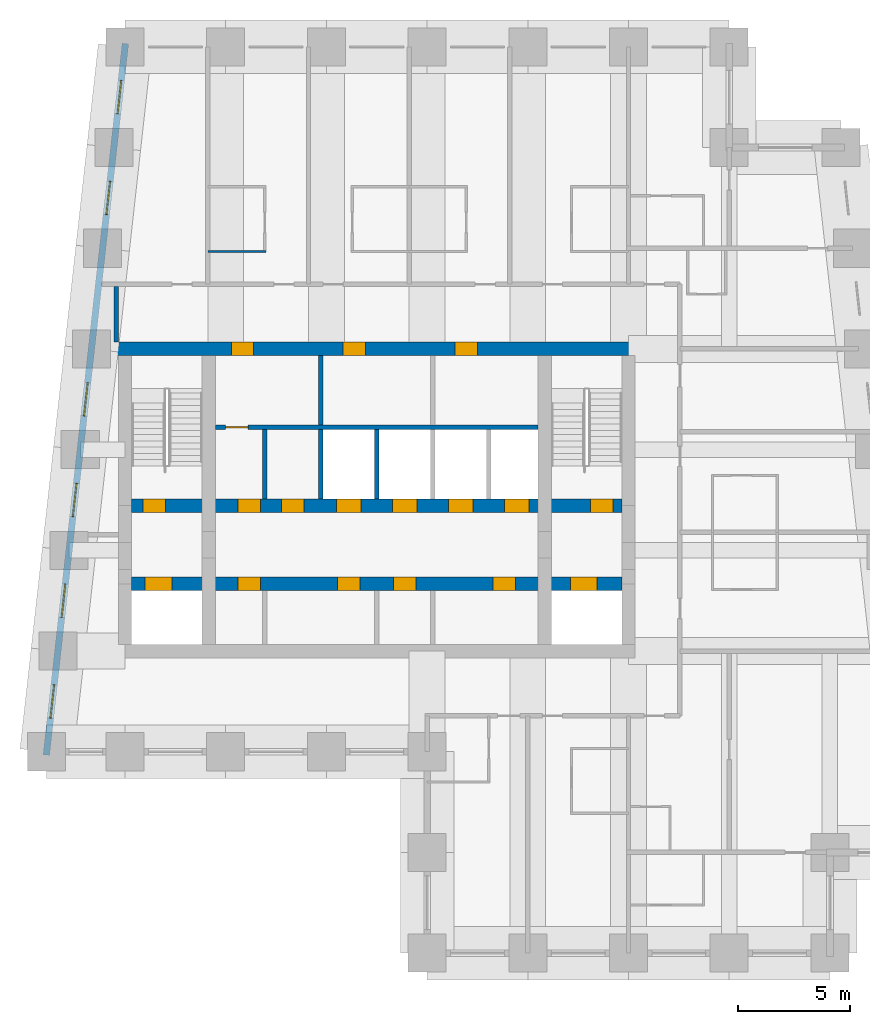
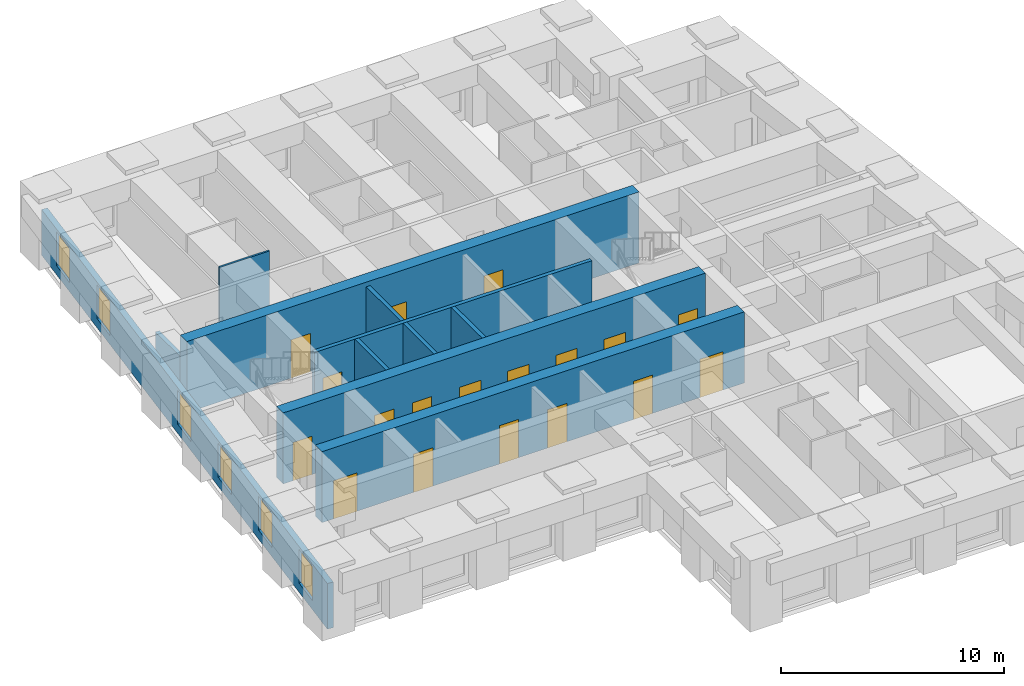
# One storey, part 3 of 7: 18 doors, 11 walls, 6 windows, 24 openings.
"""IFC4 building model written with IfcOpenShell, lengths in metres."""

from ifc_helpers import new_model, si_unit, direction, frame, frame_2d, origin, place, context, subcontext, project, spatial, rectangle, extrude, material, layer, layer_set, type_object, element, fill, save


model = new_model("IFC4")

# Units and contexts
model_context = context("Model", 3, precision=1e-05, world=origin(), true_north=direction((0.0, 1.0)))
body_context = subcontext(model_context, "Body", "Model", "MODEL_VIEW")
ifc_project = project(units=[si_unit("LENGTHUNIT", "METRE"), si_unit("AREAUNIT", "SQUARE_METRE"), si_unit("VOLUMEUNIT", "CUBIC_METRE"), si_unit("PLANEANGLEUNIT", "RADIAN"), si_unit("MASSUNIT", "GRAM", prefix="KILO")], contexts=[model_context])

# Site, building, storey
site_placement = place(None, origin())
site = spatial("IfcSite", under=ifc_project, at=site_placement, CompositionType="ELEMENT")
building_placement = place(site_placement, origin())
building = spatial("IfcBuilding", under=site, at=building_placement, Name="Kilele Tower Hotel", CompositionType="ELEMENT")
storey_placement = place(building_placement, frame((0.0, 0.0, 221.300048828125)))
storey = spatial("IfcBuildingStorey", under=building, at=storey_placement, Name="L57", CompositionType="ELEMENT", Elevation=221.300048828125)

# Wall
ifc_material_1 = material(Name="Moisture-resistant board")
ifc_layer_1 = layer(ifc_material_1, 0.10009765625)
ifc_layer_set_1 = layer_set([ifc_layer_1], Name="Moisture-resistant board")
wall_type_1 = type_object("IfcWallType", Name="Bathroom partition 100", PredefinedType="PLUMBINGWALL", material=ifc_layer_set_1)
wall_1_placement = place(storey_placement, frame((17.199951171875, 31.35009765625, 0.0), z_axis=(0.0, 0.0, 1.0), x_axis=(1.0, 0.0, 0.0)))
element("IfcWall", 1, at=wall_1_placement, inside=storey, type_object=wall_type_1, Name="Bathroom partition 100 L57", PredefinedType="PLUMBINGWALL", context=body_context, shape_type="SweptSolid", body=[
    extrude(rectangle(XDim=2.60009765625, YDim=0.10009765625, at=frame_2d((1.300048828125, 0.0))), origin(), (0.0, 0.0, 1.0), 3.64990234375),
])

# Wall, openings, doors
ifc_material_2 = material(Name="Concrete C60/75", Category="concrete")
ifc_layer_2 = layer(ifc_material_2, 0.60009765625)
ifc_layer_set_2 = layer_set([ifc_layer_2], Name="Concrete C60/75")
wall_type_2 = type_object("IfcWallType", Name="Core wall 600 C60/75", PredefinedType="SHEAR", material=ifc_layer_set_2)
wall_2_placement = place(storey_placement, frame((36.300048828125, 27.0, 0.0), z_axis=(0.0, 0.0, 1.0), x_axis=(-1.0, 0.0, 0.0)))
wall_2 = element("IfcWall", 2, at=wall_2_placement, inside=storey, type_object=wall_type_2, Name="Core wall N L57", PredefinedType="SHEAR", context=body_context, shape_type="SweptSolid", body=[
    extrude(rectangle(XDim=23.449951171875, YDim=0.60009765625, at=frame_2d((11.72509765625, 0.0))), origin(), (0.0, 0.0, 1.0), 3.89990234375),
])
opening_1_placement = place(wall_2_placement, frame((17.050048828125, 0.0, 0.0)))
opening_1 = element("IfcOpeningElement", 3, at=opening_1_placement, cuts=wall_2, Name="Opening D12", PredefinedType="OPENING", context=body_context, shape_type="SweptSolid", body=[
    extrude(rectangle(XDim=1.0, YDim=2.10009765625, at=frame_2d((0.5, 1.050048828125))), frame((0.0, 0.31005859375, 0.0), z_axis=(0.0, -1.0, 0.0), x_axis=(1.0, 0.0, 0.0)), (0.0, 0.0, 1.0), 0.6201171875),
])
opening_2_placement = place(wall_2_placement, frame((12.050048828125, 0.0, 0.0)))
opening_2 = element("IfcOpeningElement", 4, at=opening_2_placement, cuts=wall_2, Name="Opening D6", PredefinedType="OPENING", context=body_context, shape_type="SweptSolid", body=[
    extrude(rectangle(XDim=1.0, YDim=2.10009765625, at=frame_2d((0.5, 1.050048828125))), frame((0.0, 0.31005859375, 0.0), z_axis=(0.0, -1.0, 0.0), x_axis=(1.0, 0.0, 0.0)), (0.0, 0.0, 1.0), 0.6201171875),
])
opening_3_placement = place(wall_2_placement, frame((7.050048828125, 0.0, 0.0)))
opening_3 = element("IfcOpeningElement", 5, at=opening_3_placement, cuts=wall_2, Name="Opening D6", PredefinedType="OPENING", context=body_context, shape_type="SweptSolid", body=[
    extrude(rectangle(XDim=1.0, YDim=2.10009765625, at=frame_2d((0.5, 1.050048828125))), frame((0.0, 0.31005859375, 0.0), z_axis=(0.0, -1.0, 0.0), x_axis=(1.0, 0.0, 0.0)), (0.0, 0.0, 1.0), 0.6201171875),
])
ifc_material_3 = material(Name="Timber door leaf in hardwood frame", Category="wood")
door_type_1 = type_object("IfcDoorType", Name="Core lobby door 1000", OperationType="SINGLE_SWING_LEFT", PredefinedType="DOOR", material=ifc_material_3)
door_1_placement = place(opening_1_placement, origin())
door_1 = element("IfcDoor", 6, at=door_1_placement, inside=storey, type_object=door_type_1, Name="North lobby door L57", OperationType="SINGLE_SWING_RIGHT", OverallHeight=2.10009765625, OverallWidth=1.0, PredefinedType="DOOR", context=body_context, shape_type="SweptSolid", body=[
    extrude(rectangle(XDim=1.0, YDim=2.10009765625, at=frame_2d((0.5, 1.050048828125))), frame((0.0, 0.2998046875, 0.0), z_axis=(0.0, -1.0, 0.0), x_axis=(1.0, 0.0, 0.0)), (0.0, 0.0, 1.0), 0.599609375),
])
fill(opening_1, door_1)
ifc_material_4 = material(Name="Timber door leaf in hardwood frame", Category="wood")
door_type_2 = type_object("IfcDoorType", Name="Riser door 1000", OperationType="SINGLE_SWING_LEFT", PredefinedType="DOOR", material=ifc_material_4)
door_2_placement = place(opening_2_placement, origin())
door_2 = element("IfcDoor", 7, at=door_2_placement, inside=storey, type_object=door_type_2, Name="Ice and vending room door L57", OperationType="SINGLE_SWING_RIGHT", OverallHeight=2.10009765625, OverallWidth=1.0, PredefinedType="DOOR", context=body_context, shape_type="SweptSolid", body=[
    extrude(rectangle(XDim=1.0, YDim=2.10009765625, at=frame_2d((0.5, 1.050048828125))), frame((0.0, 0.2998046875, 0.0), z_axis=(0.0, -1.0, 0.0), x_axis=(1.0, 0.0, 0.0)), (0.0, 0.0, 1.0), 0.599609375),
])
fill(opening_2, door_2)
door_3_placement = place(opening_3_placement, origin())
door_3 = element("IfcDoor", 8, at=door_3_placement, inside=storey, type_object=door_type_2, Name="Electrical riser door L57", OperationType="SINGLE_SWING_RIGHT", OverallHeight=2.10009765625, OverallWidth=1.0, PredefinedType="DOOR", context=body_context, shape_type="SweptSolid", body=[
    extrude(rectangle(XDim=1.0, YDim=2.10009765625, at=frame_2d((0.5, 1.050048828125))), frame((0.0, 0.2998046875, 0.0), z_axis=(0.0, -1.0, 0.0), x_axis=(1.0, 0.0, 0.0)), (0.0, 0.0, 1.0), 0.599609375),
])
fill(opening_3, door_3)

wall_3_placement = place(storey_placement, frame((13.800048828125, 16.5, 0.0), z_axis=(0.0, 0.0, 1.0), x_axis=(1.0, 0.0, 0.0)))
wall_3 = element("IfcWall", 9, at=wall_3_placement, inside=storey, type_object=wall_type_2, Name="Core wall LS L57", PredefinedType="SHEAR", context=body_context, shape_type="SweptSolid", body=[
    extrude(rectangle(XDim=21.89990234375, YDim=0.60009765625, at=frame_2d((10.949951171875, 0.0))), origin(), (0.0, 0.0, 1.0), 3.89990234375),
])
opening_4_placement = place(wall_3_placement, frame((5.75, 0.0, 0.0), z_axis=(0.0, 0.0, 1.0), x_axis=(-1.0, 0.0, 0.0)))
opening_4 = element("IfcOpeningElement", 10, at=opening_4_placement, cuts=wall_3, Name="Opening D11", PredefinedType="OPENING", context=body_context, shape_type="SweptSolid", body=[
    extrude(rectangle(XDim=1.0, YDim=2.10009765625, at=frame_2d((0.5, 1.050048828125))), frame((0.0, 0.31005859375, 0.0), z_axis=(0.0, -1.0, 0.0), x_axis=(1.0, 0.0, 0.0)), (0.0, 0.0, 1.0), 0.6201171875),
])
opening_5_placement = place(wall_3_placement, frame((10.199951171875, 0.0, 0.0), z_axis=(0.0, 0.0, 1.0), x_axis=(-1.0, 0.0, 0.0)))
opening_5 = element("IfcOpeningElement", 11, at=opening_5_placement, cuts=wall_3, Name="Opening D11", PredefinedType="OPENING", context=body_context, shape_type="SweptSolid", body=[
    extrude(rectangle(XDim=1.0, YDim=2.10009765625, at=frame_2d((0.5, 1.050048828125))), frame((0.0, 0.31005859375, 0.0), z_axis=(0.0, -1.0, 0.0), x_axis=(1.0, 0.0, 0.0)), (0.0, 0.0, 1.0), 0.6201171875),
])
opening_6_placement = place(wall_3_placement, frame((12.699951171875, 0.0, 0.0), z_axis=(0.0, 0.0, 1.0), x_axis=(-1.0, 0.0, 0.0)))
opening_6 = element("IfcOpeningElement", 12, at=opening_6_placement, cuts=wall_3, Name="Opening D11", PredefinedType="OPENING", context=body_context, shape_type="SweptSolid", body=[
    extrude(rectangle(XDim=1.0, YDim=2.10009765625, at=frame_2d((0.5, 1.050048828125))), frame((0.0, 0.31005859375, 0.0), z_axis=(0.0, -1.0, 0.0), x_axis=(1.0, 0.0, 0.0)), (0.0, 0.0, 1.0), 0.6201171875),
])
opening_7_placement = place(wall_3_placement, frame((17.14990234375, 0.0, 0.0), z_axis=(0.0, 0.0, 1.0), x_axis=(-1.0, 0.0, 0.0)))
opening_7 = element("IfcOpeningElement", 13, at=opening_7_placement, cuts=wall_3, Name="Opening D11", PredefinedType="OPENING", context=body_context, shape_type="SweptSolid", body=[
    extrude(rectangle(XDim=1.0, YDim=2.10009765625, at=frame_2d((0.5, 1.050048828125))), frame((0.0, 0.31005859375, 0.0), z_axis=(0.0, -1.0, 0.0), x_axis=(1.0, 0.0, 0.0)), (0.0, 0.0, 1.0), 0.6201171875),
])
opening_8_placement = place(wall_3_placement, frame((0.60009765625, 0.0, 0.0)))
opening_8 = element("IfcOpeningElement", 14, at=opening_8_placement, cuts=wall_3, Name="Opening LD2", PredefinedType="OPENING", context=body_context, shape_type="SweptSolid", body=[
    extrude(rectangle(XDim=1.199951171875, YDim=2.10009765625, at=frame_2d((0.60009765625, 1.050048828125))), frame((0.0, 0.31005859375, 0.0), z_axis=(0.0, -1.0, 0.0), x_axis=(1.0, 0.0, 0.0)), (0.0, 0.0, 1.0), 0.6201171875),
])
opening_9_placement = place(wall_3_placement, frame((19.60009765625, 0.0, 0.0)))
opening_9 = element("IfcOpeningElement", 15, at=opening_9_placement, cuts=wall_3, Name="Opening LD2", PredefinedType="OPENING", context=body_context, shape_type="SweptSolid", body=[
    extrude(rectangle(XDim=1.199951171875, YDim=2.10009765625, at=frame_2d((0.60009765625, 1.050048828125))), frame((0.0, 0.31005859375, 0.0), z_axis=(0.0, -1.0, 0.0), x_axis=(1.0, 0.0, 0.0)), (0.0, 0.0, 1.0), 0.6201171875),
])
ifc_material_5 = material(Name="Timber door leaf in hardwood frame", Category="wood")
door_type_3 = type_object("IfcDoorType", Name="Core store door 1000", OperationType="SINGLE_SWING_LEFT", PredefinedType="DOOR", material=ifc_material_5)
door_4_placement = place(opening_4_placement, origin())
door_4 = element("IfcDoor", 16, at=door_4_placement, inside=storey, type_object=door_type_3, Name="Core room door L1 L57", OperationType="SINGLE_SWING_LEFT", OverallHeight=2.10009765625, OverallWidth=1.0, PredefinedType="DOOR", context=body_context, shape_type="SweptSolid", body=[
    extrude(rectangle(XDim=1.0, YDim=2.10009765625, at=frame_2d((0.5, 1.050048828125))), frame((0.0, 0.2998046875, 0.0), z_axis=(0.0, -1.0, 0.0), x_axis=(1.0, 0.0, 0.0)), (0.0, 0.0, 1.0), 0.599609375),
])
fill(opening_4, door_4)
door_5_placement = place(opening_5_placement, origin())
door_5 = element("IfcDoor", 17, at=door_5_placement, inside=storey, type_object=door_type_3, Name="Core room door L3 L57", OperationType="SINGLE_SWING_LEFT", OverallHeight=2.10009765625, OverallWidth=1.0, PredefinedType="DOOR", context=body_context, shape_type="SweptSolid", body=[
    extrude(rectangle(XDim=1.0, YDim=2.10009765625, at=frame_2d((0.5, 1.050048828125))), frame((0.0, 0.2998046875, 0.0), z_axis=(0.0, -1.0, 0.0), x_axis=(1.0, 0.0, 0.0)), (0.0, 0.0, 1.0), 0.599609375),
])
fill(opening_5, door_5)
door_6_placement = place(opening_6_placement, origin())
door_6 = element("IfcDoor", 18, at=door_6_placement, inside=storey, type_object=door_type_3, Name="Core room door M1 L57", OperationType="SINGLE_SWING_LEFT", OverallHeight=2.10009765625, OverallWidth=1.0, PredefinedType="DOOR", context=body_context, shape_type="SweptSolid", body=[
    extrude(rectangle(XDim=1.0, YDim=2.10009765625, at=frame_2d((0.5, 1.050048828125))), frame((0.0, 0.2998046875, 0.0), z_axis=(0.0, -1.0, 0.0), x_axis=(1.0, 0.0, 0.0)), (0.0, 0.0, 1.0), 0.599609375),
])
fill(opening_6, door_6)
door_7_placement = place(opening_7_placement, origin())
door_7 = element("IfcDoor", 19, at=door_7_placement, inside=storey, type_object=door_type_3, Name="Core room door M3 L57", OperationType="SINGLE_SWING_LEFT", OverallHeight=2.10009765625, OverallWidth=1.0, PredefinedType="DOOR", context=body_context, shape_type="SweptSolid", body=[
    extrude(rectangle(XDim=1.0, YDim=2.10009765625, at=frame_2d((0.5, 1.050048828125))), frame((0.0, 0.2998046875, 0.0), z_axis=(0.0, -1.0, 0.0), x_axis=(1.0, 0.0, 0.0)), (0.0, 0.0, 1.0), 0.599609375),
])
fill(opening_7, door_7)
ifc_material_6 = material(Name="Steel lift landing door", Category="steel")
door_type_4 = type_object("IfcDoorType", Name="Firefighting lift landing door 1200", OperationType="SLIDING_TO_LEFT", PredefinedType="DOOR", material=ifc_material_6)
door_8_placement = place(opening_8_placement, origin())
door_8 = element("IfcDoor", 20, at=door_8_placement, inside=storey, type_object=door_type_4, Name="Landing door FFW L57", OperationType="SLIDING_TO_LEFT", OverallHeight=2.10009765625, OverallWidth=1.199951171875, PredefinedType="DOOR", context=body_context, shape_type="SweptSolid", body=[
    extrude(rectangle(XDim=1.199951171875, YDim=2.10009765625, at=frame_2d((0.60009765625, 1.050048828125))), frame((0.0, 0.2998046875, 0.0), z_axis=(0.0, -1.0, 0.0), x_axis=(1.0, 0.0, 0.0)), (0.0, 0.0, 1.0), 0.599609375),
])
fill(opening_8, door_8)
door_9_placement = place(opening_9_placement, origin())
door_9 = element("IfcDoor", 21, at=door_9_placement, inside=storey, type_object=door_type_4, Name="Landing door FFE L57", OperationType="SLIDING_TO_LEFT", OverallHeight=2.10009765625, OverallWidth=1.199951171875, PredefinedType="DOOR", context=body_context, shape_type="SweptSolid", body=[
    extrude(rectangle(XDim=1.199951171875, YDim=2.10009765625, at=frame_2d((0.60009765625, 1.050048828125))), frame((0.0, 0.2998046875, 0.0), z_axis=(0.0, -1.0, 0.0), x_axis=(1.0, 0.0, 0.0)), (0.0, 0.0, 1.0), 0.599609375),
])
fill(opening_9, door_9)

wall_4_placement = place(storey_placement, frame((13.800048828125, 20.0, 0.0), z_axis=(0.0, 0.0, 1.0), x_axis=(1.0, 0.0, 0.0)))
wall_4 = element("IfcWall", 22, at=wall_4_placement, inside=storey, type_object=wall_type_2, Name="Core wall LN L57", PredefinedType="SHEAR", context=body_context, shape_type="SweptSolid", body=[
    extrude(rectangle(XDim=21.89990234375, YDim=0.60009765625, at=frame_2d((10.949951171875, 0.0))), origin(), (0.0, 0.0, 1.0), 3.89990234375),
])
opening_10_placement = place(wall_4_placement, frame((0.5, 0.0, 0.0)))
opening_10 = element("IfcOpeningElement", 23, at=opening_10_placement, cuts=wall_4, Name="Opening D5", PredefinedType="OPENING", context=body_context, shape_type="SweptSolid", body=[
    extrude(rectangle(XDim=1.0, YDim=2.10009765625, at=frame_2d((0.5, 1.050048828125))), frame((0.0, 0.31005859375, 0.0), z_axis=(0.0, -1.0, 0.0), x_axis=(1.0, 0.0, 0.0)), (0.0, 0.0, 1.0), 0.6201171875),
])
opening_11_placement = place(wall_4_placement, frame((20.5, 0.0, 0.0)))
opening_11 = element("IfcOpeningElement", 24, at=opening_11_placement, cuts=wall_4, Name="Opening D5", PredefinedType="OPENING", context=body_context, shape_type="SweptSolid", body=[
    extrude(rectangle(XDim=1.0, YDim=2.10009765625, at=frame_2d((0.5, 1.050048828125))), frame((0.0, 0.31005859375, 0.0), z_axis=(0.0, -1.0, 0.0), x_axis=(1.0, 0.0, 0.0)), (0.0, 0.0, 1.0), 0.6201171875),
])
opening_12_placement = place(wall_4_placement, frame((9.14990234375, 0.0, 0.0)))
opening_12 = element("IfcOpeningElement", 25, at=opening_12_placement, cuts=wall_4, Name="Opening LD1", PredefinedType="OPENING", context=body_context, shape_type="SweptSolid", body=[
    extrude(rectangle(XDim=1.10009765625, YDim=2.10009765625, at=frame_2d((0.550048828125, 1.050048828125))), frame((0.0, 0.31005859375, 0.0), z_axis=(0.0, -1.0, 0.0), x_axis=(1.0, 0.0, 0.0)), (0.0, 0.0, 1.0), 0.6201171875),
])
opening_13_placement = place(wall_4_placement, frame((11.64990234375, 0.0, 0.0)))
opening_13 = element("IfcOpeningElement", 26, at=opening_13_placement, cuts=wall_4, Name="Opening LD1", PredefinedType="OPENING", context=body_context, shape_type="SweptSolid", body=[
    extrude(rectangle(XDim=1.10009765625, YDim=2.10009765625, at=frame_2d((0.550048828125, 1.050048828125))), frame((0.0, 0.31005859375, 0.0), z_axis=(0.0, -1.0, 0.0), x_axis=(1.0, 0.0, 0.0)), (0.0, 0.0, 1.0), 0.6201171875),
])
opening_14_placement = place(wall_4_placement, frame((14.14990234375, 0.0, 0.0)))
opening_14 = element("IfcOpeningElement", 27, at=opening_14_placement, cuts=wall_4, Name="Opening LD1", PredefinedType="OPENING", context=body_context, shape_type="SweptSolid", body=[
    extrude(rectangle(XDim=1.10009765625, YDim=2.10009765625, at=frame_2d((0.550048828125, 1.050048828125))), frame((0.0, 0.31005859375, 0.0), z_axis=(0.0, -1.0, 0.0), x_axis=(1.0, 0.0, 0.0)), (0.0, 0.0, 1.0), 0.6201171875),
])
opening_15_placement = place(wall_4_placement, frame((16.64990234375, 0.0, 0.0)))
opening_15 = element("IfcOpeningElement", 28, at=opening_15_placement, cuts=wall_4, Name="Opening LD1", PredefinedType="OPENING", context=body_context, shape_type="SweptSolid", body=[
    extrude(rectangle(XDim=1.10009765625, YDim=2.10009765625, at=frame_2d((0.550048828125, 1.050048828125))), frame((0.0, 0.31005859375, 0.0), z_axis=(0.0, -1.0, 0.0), x_axis=(1.0, 0.0, 0.0)), (0.0, 0.0, 1.0), 0.6201171875),
])
opening_16_placement = place(wall_4_placement, frame((5.75, 0.0, 0.0), z_axis=(0.0, 0.0, 1.0), x_axis=(-1.0, 0.0, 0.0)))
opening_16 = element("IfcOpeningElement", 29, at=opening_16_placement, cuts=wall_4, Name="Opening D12", PredefinedType="OPENING", context=body_context, shape_type="SweptSolid", body=[
    extrude(rectangle(XDim=1.0, YDim=2.10009765625, at=frame_2d((0.5, 1.050048828125))), frame((0.0, 0.31005859375, 0.0), z_axis=(0.0, -1.0, 0.0), x_axis=(1.0, 0.0, 0.0)), (0.0, 0.0, 1.0), 0.6201171875),
])
opening_17_placement = place(wall_4_placement, frame((6.699951171875, 0.0, 0.0)))
opening_17 = element("IfcOpeningElement", 30, at=opening_17_placement, cuts=wall_4, Name="Opening D11", PredefinedType="OPENING", context=body_context, shape_type="SweptSolid", body=[
    extrude(rectangle(XDim=1.0, YDim=2.10009765625, at=frame_2d((0.5, 1.050048828125))), frame((0.0, 0.31005859375, 0.0), z_axis=(0.0, -1.0, 0.0), x_axis=(1.0, 0.0, 0.0)), (0.0, 0.0, 1.0), 0.6201171875),
])
door_10_placement = place(opening_16_placement, origin())
door_10 = element("IfcDoor", 31, at=door_10_placement, inside=storey, type_object=door_type_1, Name="Core passage door L57", OperationType="SINGLE_SWING_RIGHT", OverallHeight=2.10009765625, OverallWidth=1.0, PredefinedType="DOOR", context=body_context, shape_type="SweptSolid", body=[
    extrude(rectangle(XDim=1.0, YDim=2.10009765625, at=frame_2d((0.5, 1.050048828125))), frame((0.0, 0.2998046875, 0.0), z_axis=(0.0, -1.0, 0.0), x_axis=(1.0, 0.0, 0.0)), (0.0, 0.0, 1.0), 0.599609375),
])
fill(opening_16, door_10)
door_11_placement = place(opening_17_placement, origin())
door_11 = element("IfcDoor", 32, at=door_11_placement, inside=storey, type_object=door_type_3, Name="Core room door S2 L57", OperationType="SINGLE_SWING_LEFT", OverallHeight=2.10009765625, OverallWidth=1.0, PredefinedType="DOOR", context=body_context, shape_type="SweptSolid", body=[
    extrude(rectangle(XDim=1.0, YDim=2.10009765625, at=frame_2d((0.5, 1.050048828125))), frame((0.0, 0.2998046875, 0.0), z_axis=(0.0, -1.0, 0.0), x_axis=(1.0, 0.0, 0.0)), (0.0, 0.0, 1.0), 0.599609375),
])
fill(opening_17, door_11)
ifc_material_7 = material(Name="Steel lift landing door", Category="steel")
door_type_5 = type_object("IfcDoorType", Name="Lift landing door 1100", OperationType="SLIDING_TO_LEFT", PredefinedType="DOOR", material=ifc_material_7)
door_12_placement = place(opening_12_placement, origin())
door_12 = element("IfcDoor", 33, at=door_12_placement, inside=storey, type_object=door_type_5, Name="Landing door H1 L57", OperationType="SLIDING_TO_LEFT", OverallHeight=2.10009765625, OverallWidth=1.10009765625, PredefinedType="DOOR", context=body_context, shape_type="SweptSolid", body=[
    extrude(rectangle(XDim=1.10009765625, YDim=2.10009765625, at=frame_2d((0.550048828125, 1.050048828125))), frame((0.0, 0.2998046875, 0.0), z_axis=(0.0, -1.0, 0.0), x_axis=(1.0, 0.0, 0.0)), (0.0, 0.0, 1.0), 0.599609375),
])
fill(opening_12, door_12)
door_13_placement = place(opening_13_placement, origin())
door_13 = element("IfcDoor", 34, at=door_13_placement, inside=storey, type_object=door_type_5, Name="Landing door H2 L57", OperationType="SLIDING_TO_LEFT", OverallHeight=2.10009765625, OverallWidth=1.10009765625, PredefinedType="DOOR", context=body_context, shape_type="SweptSolid", body=[
    extrude(rectangle(XDim=1.10009765625, YDim=2.10009765625, at=frame_2d((0.550048828125, 1.050048828125))), frame((0.0, 0.2998046875, 0.0), z_axis=(0.0, -1.0, 0.0), x_axis=(1.0, 0.0, 0.0)), (0.0, 0.0, 1.0), 0.599609375),
])
fill(opening_13, door_13)
door_14_placement = place(opening_14_placement, origin())
door_14 = element("IfcDoor", 35, at=door_14_placement, inside=storey, type_object=door_type_5, Name="Landing door H3 L57", OperationType="SLIDING_TO_LEFT", OverallHeight=2.10009765625, OverallWidth=1.10009765625, PredefinedType="DOOR", context=body_context, shape_type="SweptSolid", body=[
    extrude(rectangle(XDim=1.10009765625, YDim=2.10009765625, at=frame_2d((0.550048828125, 1.050048828125))), frame((0.0, 0.2998046875, 0.0), z_axis=(0.0, -1.0, 0.0), x_axis=(1.0, 0.0, 0.0)), (0.0, 0.0, 1.0), 0.599609375),
])
fill(opening_14, door_14)
door_15_placement = place(opening_15_placement, origin())
door_15 = element("IfcDoor", 36, at=door_15_placement, inside=storey, type_object=door_type_5, Name="Landing door G1 L57", OperationType="SLIDING_TO_LEFT", OverallHeight=2.10009765625, OverallWidth=1.10009765625, PredefinedType="DOOR", context=body_context, shape_type="SweptSolid", body=[
    extrude(rectangle(XDim=1.10009765625, YDim=2.10009765625, at=frame_2d((0.550048828125, 1.050048828125))), frame((0.0, 0.2998046875, 0.0), z_axis=(0.0, -1.0, 0.0), x_axis=(1.0, 0.0, 0.0)), (0.0, 0.0, 1.0), 0.599609375),
])
fill(opening_15, door_15)
ifc_material_8 = material(Name="Timber door leaf in hardwood frame", Category="wood")
door_type_6 = type_object("IfcDoorType", Name="Stair door 1000", OperationType="SINGLE_SWING_LEFT", PredefinedType="DOOR", material=ifc_material_8)
door_16_placement = place(opening_10_placement, origin())
door_16 = element("IfcDoor", 37, at=door_16_placement, inside=storey, type_object=door_type_6, Name="Stair 1 door L57", OperationType="SINGLE_SWING_LEFT", OverallHeight=2.10009765625, OverallWidth=1.0, PredefinedType="DOOR", context=body_context, shape_type="SweptSolid", body=[
    extrude(rectangle(XDim=1.0, YDim=2.10009765625, at=frame_2d((0.5, 1.050048828125))), frame((0.0, 0.2998046875, 0.0), z_axis=(0.0, -1.0, 0.0), x_axis=(1.0, 0.0, 0.0)), (0.0, 0.0, 1.0), 0.599609375),
])
fill(opening_10, door_16)
door_17_placement = place(opening_11_placement, origin())
door_17 = element("IfcDoor", 38, at=door_17_placement, inside=storey, type_object=door_type_6, Name="Stair 2 door L57", OperationType="SINGLE_SWING_RIGHT", OverallHeight=2.10009765625, OverallWidth=1.0, PredefinedType="DOOR", context=body_context, shape_type="SweptSolid", body=[
    extrude(rectangle(XDim=1.0, YDim=2.10009765625, at=frame_2d((0.5, 1.050048828125))), frame((0.0, 0.2998046875, 0.0), z_axis=(0.0, -1.0, 0.0), x_axis=(1.0, 0.0, 0.0)), (0.0, 0.0, 1.0), 0.599609375),
])
fill(opening_11, door_17)

# Wall
ifc_material_9 = material(Name="Blockwork, plastered both sides", Category="masonry")
ifc_layer_3 = layer(ifc_material_9, 0.199951171875)
ifc_layer_set_3 = layer_set([ifc_layer_3], Name="Blockwork, plastered both sides")
wall_type_3 = type_object("IfcWallType", Name="Partition wall 200", PredefinedType="PARTITIONING", material=ifc_layer_set_3)
wall_5_placement = place(storey_placement, frame((13.10009765625, 27.300048828125, 0.0), z_axis=(0.0, 0.0, 1.0), x_axis=(0.0, 1.0, 0.0)))
element("IfcWall", 39, at=wall_5_placement, inside=storey, type_object=wall_type_3, Name="Partition wall 200 L57", PredefinedType="PARTITIONING", context=body_context, shape_type="SweptSolid", body=[
    extrude(rectangle(XDim=2.5, YDim=0.199951171875, at=frame_2d((1.25, 0.0))), origin(), (0.0, 0.0, 1.0), 2.5),
])

# Wall, openings, windows
ifc_material_10 = material(Name="Concrete C40/50 precast", Category="concrete")
ifc_layer_4 = layer(ifc_material_10, 0.260009765625, Name="Precast backing", Category="LoadBearing")
ifc_material_11 = material(Name="Reconstituted stone finish", Category="masonry")
ifc_layer_5 = layer(ifc_material_11, 0.0400390625, Name="Face mix", Category="Finish")
ifc_layer_set_4 = layer_set([ifc_layer_4, ifc_layer_5], Name="Precast concrete C40/50, reconstituted stone finish")
wall_type_4 = type_object("IfcWallType", Name="Precast stone facade wall 300", PredefinedType="STANDARD", material=ifc_layer_set_4)
wall_6_placement = place(storey_placement, frame((13.5166015625, 40.649169921875, 0.0), z_axis=(0.0, 0.0, 1.0), x_axis=(-0.110433201132, -0.993883548555, 0.0)))
wall_6 = element("IfcWall", 40, at=wall_6_placement, inside=storey, type_object=wall_type_4, Name="Facade wall L57 edge 10", PredefinedType="STANDARD", context=body_context, shape_type="SweptSolid", body=[
    extrude(rectangle(XDim=31.994140625, YDim=0.300048828125, at=frame_2d((15.9970703125, 0.0))), origin(), (0.0, 0.0, 1.0), 2.5),
])
opening_18_placement = place(wall_6_placement, frame((1.6640625, 0.0, 0.5)))
opening_18 = element("IfcOpeningElement", 41, at=opening_18_placement, cuts=wall_6, Name="Opening W4", PredefinedType="OPENING", context=body_context, shape_type="SweptSolid", body=[
    extrude(rectangle(XDim=1.5, YDim=1.85009765625, at=frame_2d((0.75, 0.925048828125))), frame((0.0, 0.159912109375, 0.0), z_axis=(0.0, -1.0, 0.0), x_axis=(1.0, 0.0, 0.0)), (0.0, 0.0, 1.0), 0.320068359375),
])
opening_19_placement = place(wall_6_placement, frame((6.19189453125, 0.0, 0.5)))
opening_19 = element("IfcOpeningElement", 42, at=opening_19_placement, cuts=wall_6, Name="Opening W4", PredefinedType="OPENING", context=body_context, shape_type="SweptSolid", body=[
    extrude(rectangle(XDim=1.5, YDim=1.85009765625, at=frame_2d((0.75, 0.925048828125))), frame((0.0, 0.159912109375, 0.0), z_axis=(0.0, -1.0, 0.0), x_axis=(1.0, 0.0, 0.0)), (0.0, 0.0, 1.0), 0.320068359375),
])
opening_20_placement = place(wall_6_placement, frame((15.2470703125, 0.0, 0.5)))
opening_20 = element("IfcOpeningElement", 43, at=opening_20_placement, cuts=wall_6, Name="Opening W4", PredefinedType="OPENING", context=body_context, shape_type="SweptSolid", body=[
    extrude(rectangle(XDim=1.5, YDim=1.85009765625, at=frame_2d((0.75, 0.925048828125))), frame((0.0, 0.159912109375, 0.0), z_axis=(0.0, -1.0, 0.0), x_axis=(1.0, 0.0, 0.0)), (0.0, 0.0, 1.0), 0.320068359375),
])
opening_21_placement = place(wall_6_placement, frame((19.77490234375, 0.0, 0.5)))
opening_21 = element("IfcOpeningElement", 44, at=opening_21_placement, cuts=wall_6, Name="Opening W4", PredefinedType="OPENING", context=body_context, shape_type="SweptSolid", body=[
    extrude(rectangle(XDim=1.5, YDim=1.85009765625, at=frame_2d((0.75, 0.925048828125))), frame((0.0, 0.159912109375, 0.0), z_axis=(0.0, -1.0, 0.0), x_axis=(1.0, 0.0, 0.0)), (0.0, 0.0, 1.0), 0.320068359375),
])
opening_22_placement = place(wall_6_placement, frame((24.302001953125, 0.0, 0.5)))
opening_22 = element("IfcOpeningElement", 45, at=opening_22_placement, cuts=wall_6, Name="Opening W4", PredefinedType="OPENING", context=body_context, shape_type="SweptSolid", body=[
    extrude(rectangle(XDim=1.5, YDim=1.85009765625, at=frame_2d((0.75, 0.925048828125))), frame((0.0, 0.159912109375, 0.0), z_axis=(0.0, -1.0, 0.0), x_axis=(1.0, 0.0, 0.0)), (0.0, 0.0, 1.0), 0.320068359375),
])
opening_23_placement = place(wall_6_placement, frame((28.830078125, 0.0, 0.5)))
opening_23 = element("IfcOpeningElement", 46, at=opening_23_placement, cuts=wall_6, Name="Opening W4", PredefinedType="OPENING", context=body_context, shape_type="SweptSolid", body=[
    extrude(rectangle(XDim=1.5, YDim=1.85009765625, at=frame_2d((0.75, 0.925048828125))), frame((0.0, 0.159912109375, 0.0), z_axis=(0.0, -1.0, 0.0), x_axis=(1.0, 0.0, 0.0)), (0.0, 0.0, 1.0), 0.320068359375),
])
ifc_material_12 = material(Name="Aluminium frame, clear double glazing", Category="aluminium")
window_type = type_object("IfcWindowType", Name="Window W4 1500 x 1850", PartitioningType="SINGLE_PANEL", PredefinedType="WINDOW", material=ifc_material_12)
window_1_placement = place(opening_18_placement, origin())
window_1 = element("IfcWindow", 47, at=window_1_placement, inside=storey, type_object=window_type, Name="Window L57", OverallHeight=1.85009765625, OverallWidth=1.5, PartitioningType="SINGLE_PANEL", PredefinedType="WINDOW", context=body_context, shape_type="SweptSolid", body=[
    extrude(rectangle(XDim=1.5, YDim=1.85009765625, at=frame_2d((0.75, 0.925048828125))), frame((0.0, 0.030029296875, 0.0), z_axis=(0.0, -1.0, 0.0), x_axis=(1.0, 0.0, 0.0)), (0.0, 0.0, 1.0), 0.06005859375),
])
fill(opening_18, window_1)
window_2_placement = place(opening_19_placement, origin())
window_2 = element("IfcWindow", 48, at=window_2_placement, inside=storey, type_object=window_type, Name="Window L57", OverallHeight=1.85009765625, OverallWidth=1.5, PartitioningType="SINGLE_PANEL", PredefinedType="WINDOW", context=body_context, shape_type="SweptSolid", body=[
    extrude(rectangle(XDim=1.5, YDim=1.85009765625, at=frame_2d((0.75, 0.925048828125))), frame((0.0, 0.030029296875, 0.0), z_axis=(0.0, -1.0, 0.0), x_axis=(1.0, 0.0, 0.0)), (0.0, 0.0, 1.0), 0.06005859375),
])
fill(opening_19, window_2)
window_3_placement = place(opening_20_placement, origin())
window_3 = element("IfcWindow", 49, at=window_3_placement, inside=storey, type_object=window_type, Name="Window L57", OverallHeight=1.85009765625, OverallWidth=1.5, PartitioningType="SINGLE_PANEL", PredefinedType="WINDOW", context=body_context, shape_type="SweptSolid", body=[
    extrude(rectangle(XDim=1.5, YDim=1.85009765625, at=frame_2d((0.75, 0.925048828125))), frame((0.0, 0.030029296875, 0.0), z_axis=(0.0, -1.0, 0.0), x_axis=(1.0, 0.0, 0.0)), (0.0, 0.0, 1.0), 0.06005859375),
])
fill(opening_20, window_3)
window_4_placement = place(opening_21_placement, origin())
window_4 = element("IfcWindow", 50, at=window_4_placement, inside=storey, type_object=window_type, Name="Window L57", OverallHeight=1.85009765625, OverallWidth=1.5, PartitioningType="SINGLE_PANEL", PredefinedType="WINDOW", context=body_context, shape_type="SweptSolid", body=[
    extrude(rectangle(XDim=1.5, YDim=1.85009765625, at=frame_2d((0.75, 0.925048828125))), frame((0.0, 0.030029296875, 0.0), z_axis=(0.0, -1.0, 0.0), x_axis=(1.0, 0.0, 0.0)), (0.0, 0.0, 1.0), 0.06005859375),
])
fill(opening_21, window_4)
window_5_placement = place(opening_22_placement, origin())
window_5 = element("IfcWindow", 51, at=window_5_placement, inside=storey, type_object=window_type, Name="Window L57", OverallHeight=1.85009765625, OverallWidth=1.5, PartitioningType="SINGLE_PANEL", PredefinedType="WINDOW", context=body_context, shape_type="SweptSolid", body=[
    extrude(rectangle(XDim=1.5, YDim=1.85009765625, at=frame_2d((0.75, 0.925048828125))), frame((0.0, 0.030029296875, 0.0), z_axis=(0.0, -1.0, 0.0), x_axis=(1.0, 0.0, 0.0)), (0.0, 0.0, 1.0), 0.06005859375),
])
fill(opening_22, window_5)
window_6_placement = place(opening_23_placement, origin())
window_6 = element("IfcWindow", 52, at=window_6_placement, inside=storey, type_object=window_type, Name="Window L57", OverallHeight=1.85009765625, OverallWidth=1.5, PartitioningType="SINGLE_PANEL", PredefinedType="WINDOW", context=body_context, shape_type="SweptSolid", body=[
    extrude(rectangle(XDim=1.5, YDim=1.85009765625, at=frame_2d((0.75, 0.925048828125))), frame((0.0, 0.030029296875, 0.0), z_axis=(0.0, -1.0, 0.0), x_axis=(1.0, 0.0, 0.0)), (0.0, 0.0, 1.0), 0.06005859375),
])
fill(opening_23, window_6)

# Walls
ifc_material_13 = material(Name="Blockwork, fire-rated", Category="masonry")
ifc_layer_6 = layer(ifc_material_13, 0.199951171875)
ifc_layer_set_5 = layer_set([ifc_layer_6], Name="Blockwork, fire-rated")
wall_type_5 = type_object("IfcWallType", Name="Shaft wall 200", PredefinedType="PARTITIONING", material=ifc_layer_set_5)
for number, where, z_axis, x_axis, name in (
    (53, (19.75, 20.300048828125, 0.0), (0.0, 0.0, 1.0), (0.0, 1.0, 0.0), "Shaft wall 200 L57"),
    (54, (22.25, 20.300048828125, 0.0), (0.0, 0.0, 1.0), (0.0, 1.0, 0.0), "Shaft wall 200 L57"),
    (55, (24.75, 20.300048828125, 0.0), (0.0, 0.0, 1.0), (0.0, 1.0, 0.0), "Shaft wall 200 L57"),
):
    element("IfcWall", number, at=place(storey_placement, frame(where, z_axis=z_axis, x_axis=x_axis)), inside=storey, type_object=wall_type_5, Name=name, PredefinedType="PARTITIONING", context=body_context, shape_type="SweptSolid", body=[
        extrude(rectangle(XDim=3.099853515625, YDim=0.199951171875, at=frame_2d((1.5498046875, 0.0))), origin(), (0.0, 0.0, 1.0), 3.64990234375),
    ])

# Wall, opening, door
wall_7_placement = place(storey_placement, frame((17.550048828125, 23.5, 0.0), z_axis=(0.0, 0.0, 1.0), x_axis=(1.0, 0.0, 0.0)))
wall_7 = element("IfcWall", 56, at=wall_7_placement, inside=storey, type_object=wall_type_5, Name="Shaft wall 200 L57", PredefinedType="PARTITIONING", context=body_context, shape_type="SweptSolid", body=[
    extrude(rectangle(XDim=14.39990234375, YDim=0.199951171875, at=frame_2d((7.199951171875, 0.0))), origin(), (0.0, 0.0, 1.0), 3.64990234375),
])
opening_24_placement = place(wall_7_placement, frame((0.449951171875, 0.0, 0.0)))
opening_24 = element("IfcOpeningElement", 57, at=opening_24_placement, cuts=wall_7, Name="Opening D12", PredefinedType="OPENING", context=body_context, shape_type="SweptSolid", body=[
    extrude(rectangle(XDim=1.0, YDim=2.10009765625, at=frame_2d((0.5, 1.050048828125))), frame((0.0, 0.10986328125, 0.0), z_axis=(0.0, -1.0, 0.0), x_axis=(1.0, 0.0, 0.0)), (0.0, 0.0, 1.0), 0.219970703125),
])
door_18_placement = place(opening_24_placement, origin())
door_18 = element("IfcDoor", 58, at=door_18_placement, inside=storey, type_object=door_type_1, Name="Core passage door", OperationType="SINGLE_SWING_LEFT", OverallHeight=2.10009765625, OverallWidth=1.0, PredefinedType="DOOR", context=body_context, shape_type="SweptSolid", body=[
    extrude(rectangle(XDim=1.0, YDim=2.10009765625, at=frame_2d((0.5, 1.050048828125))), frame((0.0, 0.02490234375, 0.0), z_axis=(0.0, -1.0, 0.0), x_axis=(1.0, 0.0, 0.0)), (0.0, 0.0, 1.0), 0.050048828125),
])
fill(opening_24, door_18)

# Wall
wall_8_placement = place(storey_placement, frame((22.25, 23.60009765625, 0.0), z_axis=(0.0, 0.0, 1.0), x_axis=(0.0, 1.0, 0.0)))
element("IfcWall", 59, at=wall_8_placement, inside=storey, type_object=wall_type_5, Name="Shaft wall 200 L57", PredefinedType="PARTITIONING", context=body_context, shape_type="SweptSolid", body=[
    extrude(rectangle(XDim=3.099853515625, YDim=0.199951171875, at=frame_2d((1.5498046875, 0.0))), origin(), (0.0, 0.0, 1.0), 3.64990234375),
])

save(model, "model.ifc")
